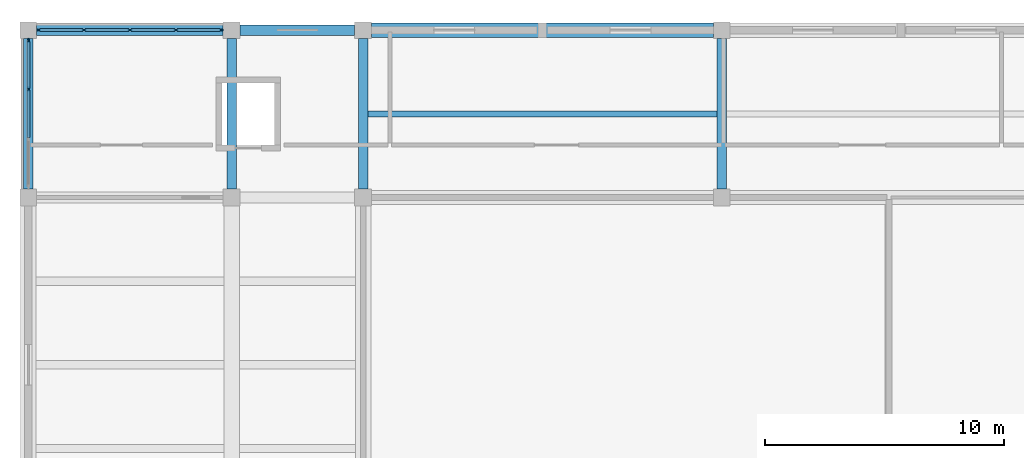
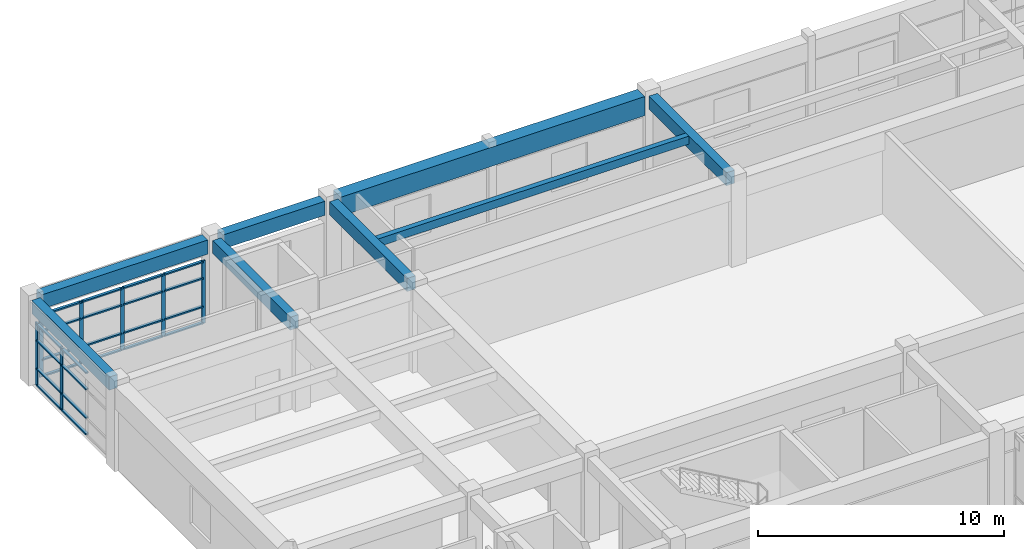
# One storey, part 28 of 70: 31 members, 8 beams, 2 elements without a shape of their own.
"""IFC4 building model written with IfcOpenShell, lengths in metres."""

from ifc_helpers import new_model, si_unit, direction, frame, origin, origin_2d, place, context, subcontext, project, spatial, rectangle, extrude, material, layer, layer_set, material_profile, profile_set, type_object, element, aggregate, save


model = new_model("IFC4")

# Units and contexts
model_context = context("Model", 3, precision=1e-05, world=origin(), true_north=direction((0.0, 1.0)))
body_context = subcontext(model_context, "Body", "Model", "MODEL_VIEW")
ifc_project = project(units=[si_unit("LENGTHUNIT", "METRE"), si_unit("AREAUNIT", "SQUARE_METRE"), si_unit("VOLUMEUNIT", "CUBIC_METRE"), si_unit("PLANEANGLEUNIT", "RADIAN"), si_unit("MASSUNIT", "GRAM", prefix="KILO")], contexts=[model_context])

# Site, building, storey
site_placement = place(None, origin())
site = spatial("IfcSite", under=ifc_project, at=site_placement, CompositionType="ELEMENT")
building_placement = place(site_placement, origin())
building = spatial("IfcBuilding", under=site, at=building_placement, Name="Naurynzar Civic Courthouse", CompositionType="ELEMENT")
storey_placement = place(building_placement, frame((0.0, 0.0, 5.39990234375)))
storey = spatial("IfcBuildingStorey", under=building, at=storey_placement, Name="L02", CompositionType="ELEMENT", Elevation=5.39990234375)

# Beams
ifc_material_1 = material(Name="Concrete C40/50", Category="concrete")
ifc_material_profile_1 = material_profile(ifc_material_1, rectangle(XDim=0.25, YDim=0.39990234375, at=origin_2d()), Name="RCB 250x400")
ifc_profile_set_1 = profile_set([ifc_material_profile_1], Name="Concrete C40/50")
beam_type_1 = type_object("IfcBeamType", Name="BM-JST-250x400", PredefinedType="JOIST", material=ifc_profile_set_1)
beam_1_placement = place(storey_placement, frame((20.199951171875, 68.5, 4.030029296875), z_axis=(1.0, 0.0, 0.0), x_axis=(0.0, 1.0, 0.0)))
element("IfcBeam", 1, at=beam_1_placement, inside=storey, type_object=beam_type_1, Name="V1 secondary rib 162 L02", PredefinedType="JOIST", context=body_context, shape_type="SweptSolid", body=[
    extrude(rectangle(XDim=0.25, YDim=0.39990234375, at=origin_2d()), origin(), (0.0, 0.0, 1.0), 14.60009765625),
])
ifc_material_2 = material(Name="Concrete C40/50", Category="concrete")
ifc_material_profile_2 = material_profile(ifc_material_2, rectangle(XDim=0.60009765625, YDim=0.949951171875, at=origin_2d()), Name="PTB 600x950")
ifc_profile_set_2 = profile_set([ifc_material_profile_2], Name="Concrete C40/50")
beam_type_2 = type_object("IfcBeamType", Name="BM-PT-600x950", PredefinedType="T_BEAM", material=ifc_profile_set_2)
beam_2_placement = place(storey_placement, frame((20.35009765625, 72.0, 3.755126953125), z_axis=(1.0, 0.0, 0.0), x_axis=(0.0, 1.0, 0.0)))
element("IfcBeam", 2, at=beam_2_placement, inside=storey, type_object=beam_type_2, Name="V1 beam X-132 L02", PredefinedType="T_BEAM", context=body_context, shape_type="SweptSolid", body=[
    extrude(rectangle(XDim=0.60009765625, YDim=0.949951171875, at=origin_2d()), origin(), (0.0, 0.0, 1.0), 14.2998046875),
])
ifc_material_3 = material(Name="Concrete C40/50", Category="concrete")
ifc_material_profile_3 = material_profile(ifc_material_3, rectangle(XDim=0.39990234375, YDim=0.64990234375, at=origin_2d()), Name="RCB 400x650")
ifc_profile_set_3 = profile_set([ifc_material_profile_3], Name="Concrete C40/50")
beam_type_3 = type_object("IfcBeamType", Name="BM-RC-400x650", PredefinedType="BEAM", material=ifc_profile_set_3)
for number, where, z_axis, x_axis, name in (
    (3, (6.0, 65.35009765625, 3.905029296875), (0.0, 1.0, 0.0), (-1.0, 0.0, 0.0), "V1 girder Y-137 L02"),
    (4, (14.5, 65.35009765625, 3.905029296875), (0.0, 1.0, 0.0), (-1.0, 0.0, 0.0), "V1 girder Y-140 L02"),
    (5, (20.0, 65.35009765625, 3.905029296875), (0.0, 1.0, 0.0), (-1.0, 0.0, 0.0), "V1 girder Y-143 L02"),
    (6, (35.0, 65.35009765625, 3.905029296875), (0.0, 1.0, 0.0), (-1.0, 0.0, 0.0), "V1 girder Y-145 L02"),
):
    element("IfcBeam", number, at=place(storey_placement, frame(where, z_axis=z_axis, x_axis=x_axis)), inside=storey, type_object=beam_type_3, Name=name, PredefinedType="BEAM", context=body_context, shape_type="SweptSolid", body=[
        extrude(rectangle(XDim=0.39990234375, YDim=0.64990234375, at=origin_2d()), origin(), (0.0, 0.0, 1.0), 6.2998046875),
    ])
ifc_material_4 = material(Name="Concrete C40/50", Category="concrete")
ifc_material_profile_4 = material_profile(ifc_material_4, rectangle(XDim=0.449951171875, YDim=0.699951171875, at=origin_2d()), Name="RCB 450x700")
ifc_profile_set_4 = profile_set([ifc_material_profile_4], Name="Concrete C40/50")
beam_type_4 = type_object("IfcBeamType", Name="BM-RC-450x700", PredefinedType="BEAM", material=ifc_profile_set_4)
beam_3_placement = place(storey_placement, frame((6.35009765625, 72.0, 3.880126953125), z_axis=(1.0, 0.0, 0.0), x_axis=(0.0, 1.0, 0.0)))
element("IfcBeam", 7, at=beam_3_placement, inside=storey, type_object=beam_type_4, Name="V1 beam X-130 L02", PredefinedType="BEAM", context=body_context, shape_type="SweptSolid", body=[
    extrude(rectangle(XDim=0.449951171875, YDim=0.699951171875, at=origin_2d()), origin(), (0.0, 0.0, 1.0), 7.7998046875),
])
beam_4_placement = place(storey_placement, frame((14.85009765625, 72.0, 3.880126953125), z_axis=(1.0, 0.0, 0.0), x_axis=(0.0, 1.0, 0.0)))
element("IfcBeam", 8, at=beam_4_placement, inside=storey, type_object=beam_type_4, Name="V1 beam X-131 L02", PredefinedType="BEAM", context=body_context, shape_type="SweptSolid", body=[
    extrude(rectangle(XDim=0.449951171875, YDim=0.699951171875, at=origin_2d()), origin(), (0.0, 0.0, 1.0), 4.7998046875),
])

# Curtain wall, members
ifc_material_5 = material(Name="Aluminium 6063-T6", Category="aluminium")
ifc_layer = layer(ifc_material_5, 0.159912109375)
ifc_layer_set = layer_set([ifc_layer], Name="CW-UNIT-1800")
curtain_wall_type = type_object("IfcCurtainWallType", Name="CW-UNIT-1800", PredefinedType="NOTDEFINED", material=ifc_layer_set)
curtain_wall_1_placement = place(storey_placement, origin())
curtain_wall_1 = element("IfcCurtainWall", 9, at=curtain_wall_1_placement, inside=storey, type_object=curtain_wall_type, Name="V1 unitised curtain wall 2 L02", PredefinedType="NOTDEFINED")
ifc_material_6 = material(Name="Aluminium 6063-T6", Category="aluminium")
ifc_material_profile_5 = material_profile(ifc_material_6, rectangle(XDim=0.070068359375, YDim=0.179931640625, at=origin_2d()), Name="ALU MULLION 70x180")
ifc_profile_set_5 = profile_set([ifc_material_profile_5], Name="Aluminium 6063-T6")
member_type_1 = type_object("IfcMemberType", Name="CWM-70x180", PredefinedType="MULLION", material=ifc_profile_set_5)
member_1_placement = place(storey_placement, frame((6.0, 69.533447265625, 0.0), z_axis=(0.0, 0.0, 1.0), x_axis=(-1.0, 0.0, 0.0)))
member_1 = element("IfcMember", 10, at=member_1_placement, type_object=member_type_1, Name="CW-02 mullion 3", PredefinedType="MULLION", context=body_context, shape_type="SweptSolid", body=[
    extrude(rectangle(XDim=0.070068359375, YDim=0.179931640625, at=origin_2d()), origin(), (0.0, 0.0, 1.0), 3.110107421875),
])
member_2_placement = place(storey_placement, frame((6.0, 71.56494140625, 0.0), z_axis=(0.0, 0.0, 1.0), x_axis=(-1.0, 0.0, 0.0)))
member_2 = element("IfcMember", 11, at=member_2_placement, type_object=member_type_1, Name="CW-02 mullion 4", PredefinedType="MULLION", context=body_context, shape_type="SweptSolid", body=[
    extrude(rectangle(XDim=0.070068359375, YDim=0.179931640625, at=origin_2d()), origin(), (0.0, 0.0, 1.0), 3.110107421875),
])

curtain_wall_2_placement = place(storey_placement, origin())
curtain_wall_2 = element("IfcCurtainWall", 12, at=curtain_wall_2_placement, inside=storey, type_object=curtain_wall_type, Name="V1 unitised curtain wall 3 L02", PredefinedType="NOTDEFINED")
member_3_placement = place(storey_placement, frame((6.43505859375, 72.0, 0.0), z_axis=(0.0, 0.0, 1.0), x_axis=(0.0, 1.0, 0.0)))
member_3 = element("IfcMember", 13, at=member_3_placement, type_object=member_type_1, Name="CW-02 mullion 1", PredefinedType="MULLION", context=body_context, shape_type="SweptSolid", body=[
    extrude(rectangle(XDim=0.070068359375, YDim=0.179931640625, at=origin_2d()), origin(), (0.0, 0.0, 1.0), 3.110107421875),
])
member_4_placement = place(storey_placement, frame((8.324951171875, 72.0, 0.0), z_axis=(0.0, 0.0, 1.0), x_axis=(0.0, 1.0, 0.0)))
member_4 = element("IfcMember", 14, at=member_4_placement, type_object=member_type_1, Name="CW-02 mullion 2", PredefinedType="MULLION", context=body_context, shape_type="SweptSolid", body=[
    extrude(rectangle(XDim=0.070068359375, YDim=0.179931640625, at=origin_2d()), origin(), (0.0, 0.0, 1.0), 3.110107421875),
])
member_5_placement = place(storey_placement, frame((10.25, 72.0, 0.0), z_axis=(0.0, 0.0, 1.0), x_axis=(0.0, 1.0, 0.0)))
member_5 = element("IfcMember", 15, at=member_5_placement, type_object=member_type_1, Name="CW-02 mullion 3", PredefinedType="MULLION", context=body_context, shape_type="SweptSolid", body=[
    extrude(rectangle(XDim=0.070068359375, YDim=0.179931640625, at=origin_2d()), origin(), (0.0, 0.0, 1.0), 3.110107421875),
])
member_6_placement = place(storey_placement, frame((12.175048828125, 72.0, 0.0), z_axis=(0.0, 0.0, 1.0), x_axis=(0.0, 1.0, 0.0)))
member_6 = element("IfcMember", 16, at=member_6_placement, type_object=member_type_1, Name="CW-02 mullion 4", PredefinedType="MULLION", context=body_context, shape_type="SweptSolid", body=[
    extrude(rectangle(XDim=0.070068359375, YDim=0.179931640625, at=origin_2d()), origin(), (0.0, 0.0, 1.0), 3.110107421875),
])
member_7_placement = place(storey_placement, frame((14.06494140625, 72.0, 0.0), z_axis=(0.0, 0.0, 1.0), x_axis=(0.0, 1.0, 0.0)))
member_7 = element("IfcMember", 17, at=member_7_placement, type_object=member_type_1, Name="CW-02 mullion 5", PredefinedType="MULLION", context=body_context, shape_type="SweptSolid", body=[
    extrude(rectangle(XDim=0.070068359375, YDim=0.179931640625, at=origin_2d()), origin(), (0.0, 0.0, 1.0), 3.110107421875),
])

# Member
ifc_material_7 = material(Name="Aluminium 6063-T6", Category="aluminium")
ifc_material_profile_6 = material_profile(ifc_material_7, rectangle(XDim=0.1298828125, YDim=0.070068359375, at=origin_2d()), Name="ALU TRANSOM 70x130")
ifc_profile_set_6 = profile_set([ifc_material_profile_6], Name="Aluminium 6063-T6")
member_type_2 = type_object("IfcMemberType", Name="CWT-70x130", PredefinedType="USERDEFINED", material=ifc_profile_set_6)
member_8_placement = place(storey_placement, frame((6.0, 67.501708984375, 0.03515625), z_axis=(0.0, 1.0, 0.0), x_axis=(-1.0, 0.0, 0.0)))
member_8 = element("IfcMember", 18, at=member_8_placement, type_object=member_type_2, Name="CW-02 transom 2.1", ObjectType="TRANSOM", PredefinedType="USERDEFINED", context=body_context, shape_type="SweptSolid", body=[
    extrude(rectangle(XDim=0.1298828125, YDim=0.070068359375, at=origin_2d()), origin(), (0.0, 0.0, 1.0), 1.99658203125),
])

member_9_placement = place(storey_placement, frame((6.0, 67.501708984375, 0.85009765625), z_axis=(0.0, 1.0, 0.0), x_axis=(-1.0, 0.0, 0.0)))
member_9 = element("IfcMember", 19, at=member_9_placement, type_object=member_type_2, Name="CW-02 transom 2.2", ObjectType="TRANSOM", PredefinedType="USERDEFINED", context=body_context, shape_type="SweptSolid", body=[
    extrude(rectangle(XDim=0.1298828125, YDim=0.070068359375, at=origin_2d()), origin(), (0.0, 0.0, 1.0), 1.99658203125),
])

member_10_placement = place(storey_placement, frame((6.0, 67.501708984375, 2.260009765625), z_axis=(0.0, 1.0, 0.0), x_axis=(-1.0, 0.0, 0.0)))
member_10 = element("IfcMember", 20, at=member_10_placement, type_object=member_type_2, Name="CW-02 transom 2.3", ObjectType="TRANSOM", PredefinedType="USERDEFINED", context=body_context, shape_type="SweptSolid", body=[
    extrude(rectangle(XDim=0.1298828125, YDim=0.070068359375, at=origin_2d()), origin(), (0.0, 0.0, 1.0), 1.99658203125),
])

member_11_placement = place(storey_placement, frame((6.0, 67.501708984375, 3.0751953125), z_axis=(0.0, 1.0, 0.0), x_axis=(-1.0, 0.0, 0.0)))
member_11 = element("IfcMember", 21, at=member_11_placement, type_object=member_type_2, Name="CW-02 transom 2.4", ObjectType="TRANSOM", PredefinedType="USERDEFINED", context=body_context, shape_type="SweptSolid", body=[
    extrude(rectangle(XDim=0.1298828125, YDim=0.070068359375, at=origin_2d()), origin(), (0.0, 0.0, 1.0), 1.99658203125),
])

member_12_placement = place(storey_placement, frame((6.0, 69.568359375, 0.03515625), z_axis=(0.0, 1.0, 0.0), x_axis=(-1.0, 0.0, 0.0)))
member_12 = element("IfcMember", 22, at=member_12_placement, type_object=member_type_2, Name="CW-02 transom 3.1", ObjectType="TRANSOM", PredefinedType="USERDEFINED", context=body_context, shape_type="SweptSolid", body=[
    extrude(rectangle(XDim=0.1298828125, YDim=0.070068359375, at=origin_2d()), origin(), (0.0, 0.0, 1.0), 1.961669921875),
])

member_13_placement = place(storey_placement, frame((6.0, 69.568359375, 0.85009765625), z_axis=(0.0, 1.0, 0.0), x_axis=(-1.0, 0.0, 0.0)))
member_13 = element("IfcMember", 23, at=member_13_placement, type_object=member_type_2, Name="CW-02 transom 3.2", ObjectType="TRANSOM", PredefinedType="USERDEFINED", context=body_context, shape_type="SweptSolid", body=[
    extrude(rectangle(XDim=0.1298828125, YDim=0.070068359375, at=origin_2d()), origin(), (0.0, 0.0, 1.0), 1.961669921875),
])

member_14_placement = place(storey_placement, frame((6.0, 69.568359375, 2.260009765625), z_axis=(0.0, 1.0, 0.0), x_axis=(-1.0, 0.0, 0.0)))
member_14 = element("IfcMember", 24, at=member_14_placement, type_object=member_type_2, Name="CW-02 transom 3.3", ObjectType="TRANSOM", PredefinedType="USERDEFINED", context=body_context, shape_type="SweptSolid", body=[
    extrude(rectangle(XDim=0.1298828125, YDim=0.070068359375, at=origin_2d()), origin(), (0.0, 0.0, 1.0), 1.961669921875),
])

member_15_placement = place(storey_placement, frame((6.0, 69.568359375, 3.0751953125), z_axis=(0.0, 1.0, 0.0), x_axis=(-1.0, 0.0, 0.0)))
member_15 = element("IfcMember", 25, at=member_15_placement, type_object=member_type_2, Name="CW-02 transom 3.4", ObjectType="TRANSOM", PredefinedType="USERDEFINED", context=body_context, shape_type="SweptSolid", body=[
    extrude(rectangle(XDim=0.1298828125, YDim=0.070068359375, at=origin_2d()), origin(), (0.0, 0.0, 1.0), 1.961669921875),
])

aggregate(curtain_wall_1, [member_1, member_2, member_8, member_9, member_10, member_11, member_12, member_13, member_14, member_15])

member_16_placement = place(storey_placement, frame((6.469970703125, 72.0, 0.03515625), z_axis=(1.0, 0.0, 0.0), x_axis=(0.0, 1.0, 0.0)))
member_16 = element("IfcMember", 26, at=member_16_placement, type_object=member_type_2, Name="CW-02 transom 1.1", ObjectType="TRANSOM", PredefinedType="USERDEFINED", context=body_context, shape_type="SweptSolid", body=[
    extrude(rectangle(XDim=0.1298828125, YDim=0.070068359375, at=origin_2d()), origin(), (0.0, 0.0, 1.0), 1.820068359375),
])

member_17_placement = place(storey_placement, frame((6.469970703125, 72.0, 0.85009765625), z_axis=(1.0, 0.0, 0.0), x_axis=(0.0, 1.0, 0.0)))
member_17 = element("IfcMember", 27, at=member_17_placement, type_object=member_type_2, Name="CW-02 transom 1.2", ObjectType="TRANSOM", PredefinedType="USERDEFINED", context=body_context, shape_type="SweptSolid", body=[
    extrude(rectangle(XDim=0.1298828125, YDim=0.070068359375, at=origin_2d()), origin(), (0.0, 0.0, 1.0), 1.820068359375),
])

member_18_placement = place(storey_placement, frame((6.469970703125, 72.0, 2.260009765625), z_axis=(1.0, 0.0, 0.0), x_axis=(0.0, 1.0, 0.0)))
member_18 = element("IfcMember", 28, at=member_18_placement, type_object=member_type_2, Name="CW-02 transom 1.3", ObjectType="TRANSOM", PredefinedType="USERDEFINED", context=body_context, shape_type="SweptSolid", body=[
    extrude(rectangle(XDim=0.1298828125, YDim=0.070068359375, at=origin_2d()), origin(), (0.0, 0.0, 1.0), 1.820068359375),
])

member_19_placement = place(storey_placement, frame((6.469970703125, 72.0, 3.0751953125), z_axis=(1.0, 0.0, 0.0), x_axis=(0.0, 1.0, 0.0)))
member_19 = element("IfcMember", 29, at=member_19_placement, type_object=member_type_2, Name="CW-02 transom 1.4", ObjectType="TRANSOM", PredefinedType="USERDEFINED", context=body_context, shape_type="SweptSolid", body=[
    extrude(rectangle(XDim=0.1298828125, YDim=0.070068359375, at=origin_2d()), origin(), (0.0, 0.0, 1.0), 1.820068359375),
])

member_20_placement = place(storey_placement, frame((8.360107421875, 72.0, 0.03515625), z_axis=(1.0, 0.0, 0.0), x_axis=(0.0, 1.0, 0.0)))
member_20 = element("IfcMember", 30, at=member_20_placement, type_object=member_type_2, Name="CW-02 transom 2.1", ObjectType="TRANSOM", PredefinedType="USERDEFINED", context=body_context, shape_type="SweptSolid", body=[
    extrude(rectangle(XDim=0.1298828125, YDim=0.070068359375, at=origin_2d()), origin(), (0.0, 0.0, 1.0), 1.85498046875),
])

member_21_placement = place(storey_placement, frame((8.360107421875, 72.0, 0.85009765625), z_axis=(1.0, 0.0, 0.0), x_axis=(0.0, 1.0, 0.0)))
member_21 = element("IfcMember", 31, at=member_21_placement, type_object=member_type_2, Name="CW-02 transom 2.2", ObjectType="TRANSOM", PredefinedType="USERDEFINED", context=body_context, shape_type="SweptSolid", body=[
    extrude(rectangle(XDim=0.1298828125, YDim=0.070068359375, at=origin_2d()), origin(), (0.0, 0.0, 1.0), 1.85498046875),
])

member_22_placement = place(storey_placement, frame((8.360107421875, 72.0, 2.260009765625), z_axis=(1.0, 0.0, 0.0), x_axis=(0.0, 1.0, 0.0)))
member_22 = element("IfcMember", 32, at=member_22_placement, type_object=member_type_2, Name="CW-02 transom 2.3", ObjectType="TRANSOM", PredefinedType="USERDEFINED", context=body_context, shape_type="SweptSolid", body=[
    extrude(rectangle(XDim=0.1298828125, YDim=0.070068359375, at=origin_2d()), origin(), (0.0, 0.0, 1.0), 1.85498046875),
])

member_23_placement = place(storey_placement, frame((8.360107421875, 72.0, 3.0751953125), z_axis=(1.0, 0.0, 0.0), x_axis=(0.0, 1.0, 0.0)))
member_23 = element("IfcMember", 33, at=member_23_placement, type_object=member_type_2, Name="CW-02 transom 2.4", ObjectType="TRANSOM", PredefinedType="USERDEFINED", context=body_context, shape_type="SweptSolid", body=[
    extrude(rectangle(XDim=0.1298828125, YDim=0.070068359375, at=origin_2d()), origin(), (0.0, 0.0, 1.0), 1.85498046875),
])

member_24_placement = place(storey_placement, frame((10.284912109375, 72.0, 0.03515625), z_axis=(1.0, 0.0, 0.0), x_axis=(0.0, 1.0, 0.0)))
member_24 = element("IfcMember", 34, at=member_24_placement, type_object=member_type_2, Name="CW-02 transom 3.1", ObjectType="TRANSOM", PredefinedType="USERDEFINED", context=body_context, shape_type="SweptSolid", body=[
    extrude(rectangle(XDim=0.1298828125, YDim=0.070068359375, at=origin_2d()), origin(), (0.0, 0.0, 1.0), 1.85498046875),
])

member_25_placement = place(storey_placement, frame((10.284912109375, 72.0, 0.85009765625), z_axis=(1.0, 0.0, 0.0), x_axis=(0.0, 1.0, 0.0)))
member_25 = element("IfcMember", 35, at=member_25_placement, type_object=member_type_2, Name="CW-02 transom 3.2", ObjectType="TRANSOM", PredefinedType="USERDEFINED", context=body_context, shape_type="SweptSolid", body=[
    extrude(rectangle(XDim=0.1298828125, YDim=0.070068359375, at=origin_2d()), origin(), (0.0, 0.0, 1.0), 1.85498046875),
])

member_26_placement = place(storey_placement, frame((10.284912109375, 72.0, 2.260009765625), z_axis=(1.0, 0.0, 0.0), x_axis=(0.0, 1.0, 0.0)))
member_26 = element("IfcMember", 36, at=member_26_placement, type_object=member_type_2, Name="CW-02 transom 3.3", ObjectType="TRANSOM", PredefinedType="USERDEFINED", context=body_context, shape_type="SweptSolid", body=[
    extrude(rectangle(XDim=0.1298828125, YDim=0.070068359375, at=origin_2d()), origin(), (0.0, 0.0, 1.0), 1.85498046875),
])

member_27_placement = place(storey_placement, frame((10.284912109375, 72.0, 3.0751953125), z_axis=(1.0, 0.0, 0.0), x_axis=(0.0, 1.0, 0.0)))
member_27 = element("IfcMember", 37, at=member_27_placement, type_object=member_type_2, Name="CW-02 transom 3.4", ObjectType="TRANSOM", PredefinedType="USERDEFINED", context=body_context, shape_type="SweptSolid", body=[
    extrude(rectangle(XDim=0.1298828125, YDim=0.070068359375, at=origin_2d()), origin(), (0.0, 0.0, 1.0), 1.85498046875),
])

member_28_placement = place(storey_placement, frame((12.2099609375, 72.0, 0.03515625), z_axis=(1.0, 0.0, 0.0), x_axis=(0.0, 1.0, 0.0)))
member_28 = element("IfcMember", 38, at=member_28_placement, type_object=member_type_2, Name="CW-02 transom 4.1", ObjectType="TRANSOM", PredefinedType="USERDEFINED", context=body_context, shape_type="SweptSolid", body=[
    extrude(rectangle(XDim=0.1298828125, YDim=0.070068359375, at=origin_2d()), origin(), (0.0, 0.0, 1.0), 1.820068359375),
])

member_29_placement = place(storey_placement, frame((12.2099609375, 72.0, 0.85009765625), z_axis=(1.0, 0.0, 0.0), x_axis=(0.0, 1.0, 0.0)))
member_29 = element("IfcMember", 39, at=member_29_placement, type_object=member_type_2, Name="CW-02 transom 4.2", ObjectType="TRANSOM", PredefinedType="USERDEFINED", context=body_context, shape_type="SweptSolid", body=[
    extrude(rectangle(XDim=0.1298828125, YDim=0.070068359375, at=origin_2d()), origin(), (0.0, 0.0, 1.0), 1.820068359375),
])

member_30_placement = place(storey_placement, frame((12.2099609375, 72.0, 2.260009765625), z_axis=(1.0, 0.0, 0.0), x_axis=(0.0, 1.0, 0.0)))
member_30 = element("IfcMember", 40, at=member_30_placement, type_object=member_type_2, Name="CW-02 transom 4.3", ObjectType="TRANSOM", PredefinedType="USERDEFINED", context=body_context, shape_type="SweptSolid", body=[
    extrude(rectangle(XDim=0.1298828125, YDim=0.070068359375, at=origin_2d()), origin(), (0.0, 0.0, 1.0), 1.820068359375),
])

member_31_placement = place(storey_placement, frame((12.2099609375, 72.0, 3.0751953125), z_axis=(1.0, 0.0, 0.0), x_axis=(0.0, 1.0, 0.0)))
member_31 = element("IfcMember", 41, at=member_31_placement, type_object=member_type_2, Name="CW-02 transom 4.4", ObjectType="TRANSOM", PredefinedType="USERDEFINED", context=body_context, shape_type="SweptSolid", body=[
    extrude(rectangle(XDim=0.1298828125, YDim=0.070068359375, at=origin_2d()), origin(), (0.0, 0.0, 1.0), 1.820068359375),
])

aggregate(curtain_wall_2, [member_3, member_4, member_5, member_6, member_7, member_16, member_17, member_18, member_19, member_20, member_21, member_22, member_23, member_24, member_25, member_26, member_27, member_28, member_29, member_30, member_31])

save(model, "model.ifc")
